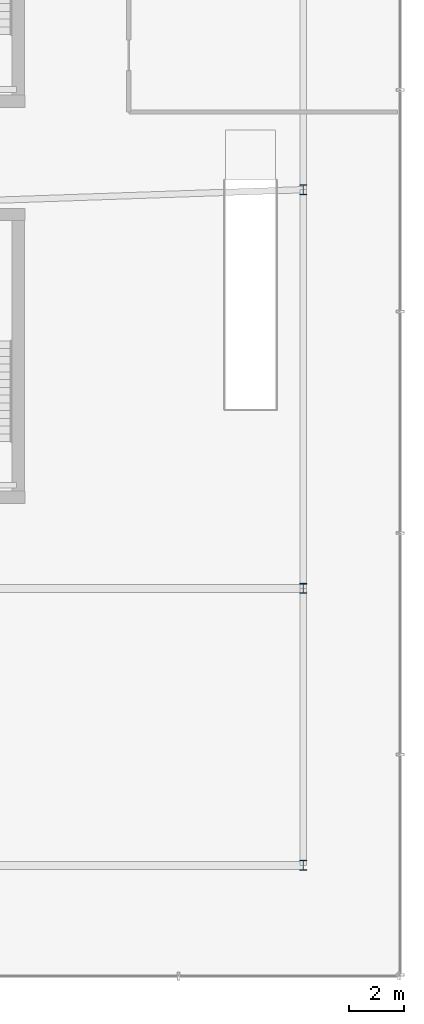
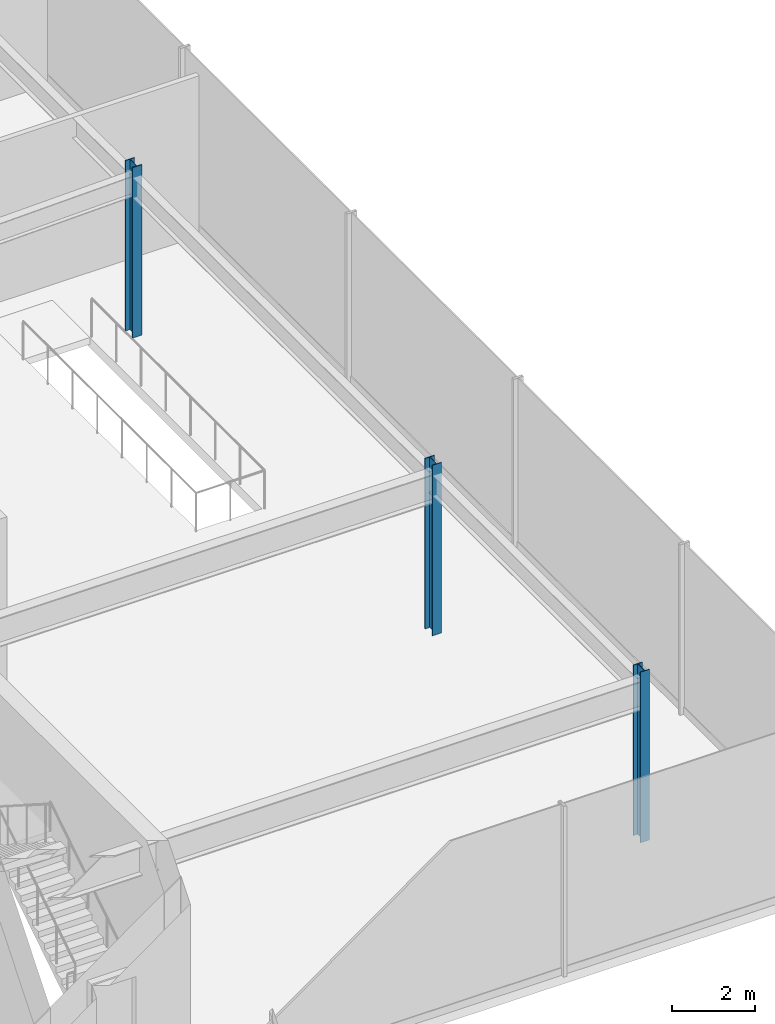
# One storey, part 4 of 39: 3 columns.
"""IFC4 building model written with IfcOpenShell, lengths in metres."""

from ifc_helpers import new_model, si_unit, derived_unit, direction, frame, origin, origin_2d, place, context, subcontext, project, spatial, i_section, extrude, source, transform, mapped, material, material_profile, profile_set, type_object, element, save


model = new_model("IFC4")

# Units and contexts
model_context = context("Model", 3, precision=1e-05, world=origin(), true_north=direction((0.0, 1.0)))
body_context = subcontext(model_context, "Body", "Model", "MODEL_VIEW")
ifc_project = project(units=[si_unit("LENGTHUNIT", "METRE"), si_unit("AREAUNIT", "SQUARE_METRE"), si_unit("VOLUMEUNIT", "CUBIC_METRE"), si_unit("PLANEANGLEUNIT", "RADIAN"), si_unit("MASSUNIT", "GRAM", prefix="KILO"), derived_unit("THERMALTRANSMITTANCEUNIT", [(si_unit("POWERUNIT", "WATT"), 1), (si_unit("LENGTHUNIT", "METRE"), -2), (si_unit("THERMODYNAMICTEMPERATUREUNIT", "KELVIN"), -1)])], contexts=[model_context])

# Site, building, storey
site_placement = place(None, origin())
site = spatial("IfcSite", under=ifc_project, at=site_placement, CompositionType="ELEMENT")
building_placement = place(site_placement, origin())
building = spatial("IfcBuilding", under=site, at=building_placement, Name="Skarnbrae Concourse Arena and Tower", CompositionType="ELEMENT")
storey_placement = place(building_placement, frame((0.0, 0.0, 11.0)))
storey = spatial("IfcBuildingStorey", under=building, at=storey_placement, Name="L02", CompositionType="ELEMENT", Elevation=11.0)

# Columns
ifc_material = material(Name="Steel CSA G40.21 350W", Category="steel")
ifc_material_profile = material_profile(ifc_material, i_section(OverallWidth=0.257080078125, OverallDepth=0.363037109375, WebThickness=0.012939453125, FlangeThickness=0.021728515625, at=origin_2d()), Name="W360X122")
ifc_profile_set = profile_set([ifc_material_profile], Name="Steel CSA G40.21 350W")
column_type = type_object("IfcColumnType", Name="COL-POD-W360X122", PredefinedType="COLUMN", material=ifc_profile_set)
shared_shape = source(origin(), body_context, "Body", "SweptSolid", [
    extrude(i_section(OverallWidth=0.257080078125, OverallDepth=0.363037109375, WebThickness=0.012939453125, FlangeThickness=0.021728515625, at=origin_2d()), origin(), (0.0, 0.0, 1.0), 5.0),
])
for number, where, z_axis, x_axis, name in (
    (1, (78.5, 4.0, 0.0), (0.0, 0.0, 1.0), (1.0, 0.0, 0.0), "L02 Podium mega-column PC-EP1"),
    (2, (78.5, 14.0, 0.0), (0.0, 0.0, 1.0), (1.0, 0.0, 0.0), "L02 Podium mega-column PC-EP2"),
    (3, (78.5, 28.39990234375, 0.0), (0.0, 0.0, 1.0), (1.0, 0.0, 0.0), "L02 Podium mega-column PC-EP3"),
):
    element("IfcColumn", number, at=place(storey_placement, frame(where, z_axis=z_axis, x_axis=x_axis)), inside=storey, type_object=column_type, Name=name, PredefinedType="COLUMN", context=body_context, shape_type="MappedRepresentation", body=[
        mapped(shared_shape, transform((0.0, 0.0, 0.0))),
    ])

save(model, "model.ifc")
